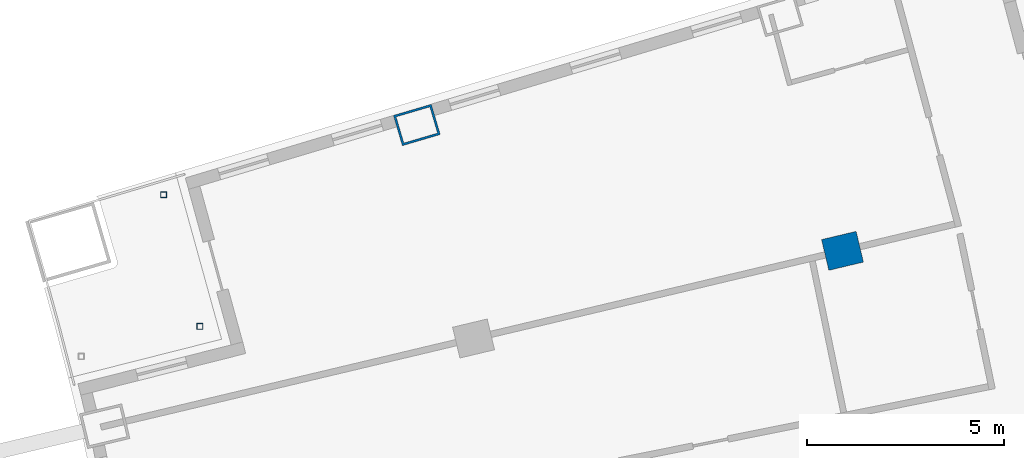
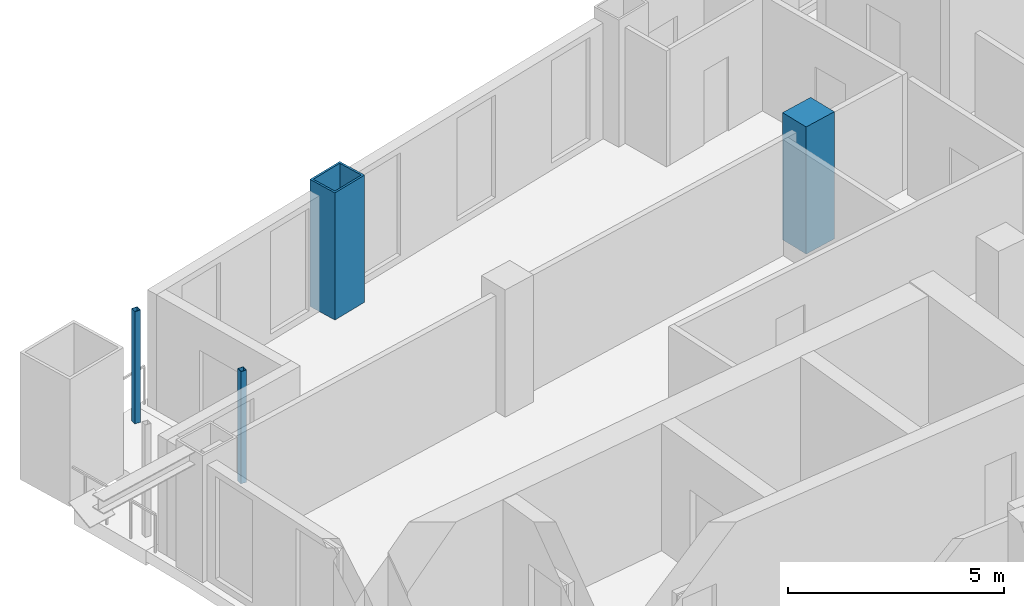
# One storey, part 7 of 21: 4 columns.
"""IFC4 building model written with IfcOpenShell, lengths in metres."""

from ifc_helpers import new_model, si_unit, direction, frame, origin, origin_2d, place, context, subcontext, project, spatial, rectangle, hollow_rectangle, extrude, material, material_profile, profile_set, type_object, element, save


model = new_model("IFC4")

# Units and contexts
model_context = context("Model", 3, precision=1e-05, world=origin(), true_north=direction((0.0, 1.0)))
body_context = subcontext(model_context, "Body", "Model", "MODEL_VIEW")
ifc_project = project(units=[si_unit("LENGTHUNIT", "METRE"), si_unit("AREAUNIT", "SQUARE_METRE"), si_unit("VOLUMEUNIT", "CUBIC_METRE"), si_unit("PLANEANGLEUNIT", "RADIAN"), si_unit("MASSUNIT", "GRAM", prefix="KILO")], contexts=[model_context])

# Site, building, storey
site_placement = place(None, origin())
site = spatial("IfcSite", under=ifc_project, at=site_placement, CompositionType="ELEMENT")
building_placement = place(site_placement, origin())
building = spatial("IfcBuilding", under=site, at=building_placement, Name="Alderwake Tower", CompositionType="ELEMENT")
storey_placement = place(building_placement, frame((0.0, 0.0, 146.0)))
storey = spatial("IfcBuildingStorey", under=building, at=storey_placement, Name="L35", CompositionType="ELEMENT", Elevation=146.0)

# Columns
ifc_material_1 = material(Name="Steel ASTM A572 Grade 50 concrete filled C70/85", Category="concrete")
ifc_material_profile_1 = material_profile(ifc_material_1, hollow_rectangle(XDim=0.800048828125, YDim=1.0, WallThickness=0.054931640625, at=origin_2d()), Name="BOX 1000X800X55")
ifc_profile_set_1 = profile_set([ifc_material_profile_1], Name="Steel ASTM A572 Grade 50 concrete filled C70/85")
column_type_1 = type_object("IfcColumnType", Name="End column Z3", PredefinedType="COLUMN", material=ifc_profile_set_1)
column_1_placement = place(storey_placement, frame((21.885498046875, 90.96240234375, 0.0), z_axis=(0.0, 0.0, 1.0), x_axis=(-0.282132160283, 0.95937554906, 0.0)))
element("IfcColumn", 1, at=column_1_placement, inside=storey, type_object=column_type_1, Name="Column R12-C1", PredefinedType="COLUMN", context=body_context, shape_type="SweptSolid", body=[
    extrude(hollow_rectangle(XDim=0.800048828125, YDim=1.0, WallThickness=0.054931640625, at=origin_2d()), origin(), (0.0, 0.0, 1.0), 3.60009765625),
])
ifc_material_2 = material(Name="Concrete C70/85", Category="concrete")
ifc_material_profile_2 = material_profile(ifc_material_2, rectangle(XDim=0.800048828125, YDim=0.89990234375, at=origin_2d()), Name="RC 900X800")
ifc_profile_set_2 = profile_set([ifc_material_profile_2], Name="Concrete C70/85")
column_type_2 = type_object("IfcColumnType", Name="Interior column Z3", PredefinedType="COLUMN", material=ifc_profile_set_2)
column_2_placement = place(storey_placement, frame((32.661865234375, 87.775390625, 0.0), z_axis=(0.0, 0.0, 1.0), x_axis=(-0.231221547198, 0.972901123502, 0.0)))
element("IfcColumn", 2, at=column_2_placement, inside=storey, type_object=column_type_2, Name="Column R11-C2", PredefinedType="COLUMN", context=body_context, shape_type="SweptSolid", body=[
    extrude(rectangle(XDim=0.800048828125, YDim=0.89990234375, at=origin_2d()), origin(), (0.0, 0.0, 1.0), 3.60009765625),
])
ifc_material_3 = material(Name="Steel ASTM A500 Grade C", Category="steel")
ifc_material_profile_3 = material_profile(ifc_material_3, hollow_rectangle(XDim=0.15234375, YDim=0.15234375, WallThickness=0.0087890625, at=origin_2d()), Name="HSS6X6X3/8")
ifc_profile_set_3 = profile_set([ifc_material_profile_3], Name="Steel ASTM A500 Grade C")
column_type_3 = type_object("IfcColumnType", Name="Light post HSS6X6X3/8", PredefinedType="COLUMN", material=ifc_profile_set_3)
for number, where, z_axis, x_axis, name in (
    (3, (15.47412109375, 89.194091796875, 0.0), (0.0, 0.0, 1.0), (1.0, 0.0, 0.0), "Terrace post RN2"),
    (4, (16.39501953125, 85.864013671875, 0.0), (0.0, 0.0, 1.0), (1.0, 0.0, 0.0), "Terrace post RN3"),
):
    element("IfcColumn", number, at=place(storey_placement, frame(where, z_axis=z_axis, x_axis=x_axis)), inside=storey, type_object=column_type_3, Name=name, PredefinedType="COLUMN", context=body_context, shape_type="SweptSolid", body=[
        extrude(hollow_rectangle(XDim=0.15234375, YDim=0.15234375, WallThickness=0.0087890625, at=origin_2d()), origin(), (0.0, 0.0, 1.0), 3.179931640625),
    ])

save(model, "model.ifc")
